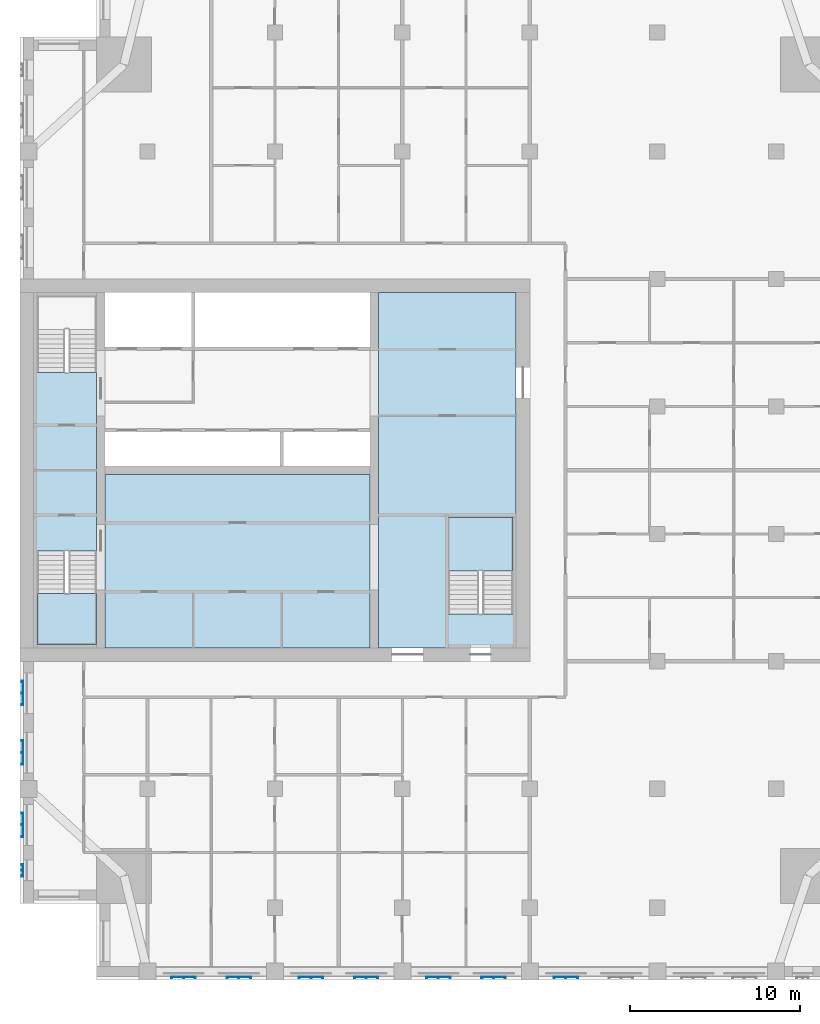
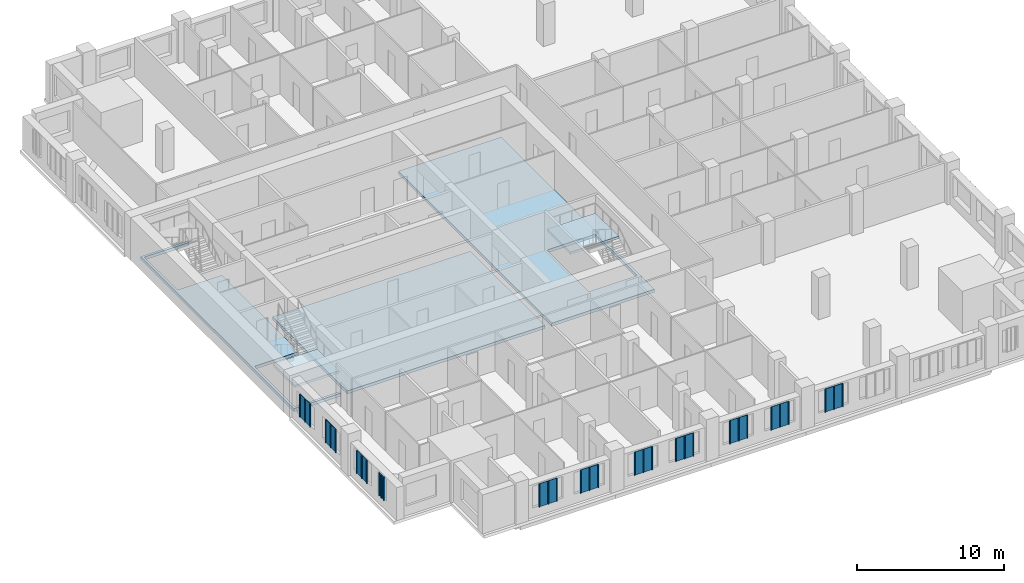
# One storey, part 2 of 14: 11 plates, 5 slabs, 2 elements without a shape of their own.
"""IFC4 building model written with IfcOpenShell, lengths in metres."""

from ifc_helpers import new_model, si_unit, direction, frame, origin, place, context, subcontext, project, spatial, polyline, outline, extrude, material, layer, layer_set, type_object, element, aggregate, save


model = new_model("IFC4")

# Units and contexts
model_context = context("Model", 3, precision=1e-05, world=origin(), true_north=direction((0.0, 1.0)))
body_context = subcontext(model_context, "Body", "Model", "MODEL_VIEW")
ifc_project = project(units=[si_unit("LENGTHUNIT", "METRE"), si_unit("AREAUNIT", "SQUARE_METRE"), si_unit("VOLUMEUNIT", "CUBIC_METRE"), si_unit("PLANEANGLEUNIT", "RADIAN"), si_unit("MASSUNIT", "GRAM", prefix="KILO")], contexts=[model_context])

# Site, building, storey
site_placement = place(None, origin())
site = spatial("IfcSite", under=ifc_project, at=site_placement, CompositionType="ELEMENT")
building_placement = place(site_placement, origin())
building = spatial("IfcBuilding", under=site, at=building_placement, Name="Tamorin Gate", CompositionType="ELEMENT")
storey_placement = place(building_placement, frame((0.0, 0.0, 207.199951171875)))
storey = spatial("IfcBuildingStorey", under=building, at=storey_placement, Name="L51", CompositionType="ELEMENT", Elevation=207.199951171875)

# Slabs
ifc_material_1 = material(Name="Concrete C40/50", Category="concrete")
ifc_layer_1 = layer(ifc_material_1, 0.25)
ifc_layer_set_1 = layer_set([ifc_layer_1], Name="Core floor slab 250 C40/50")
slab_type_1 = type_object("IfcSlabType", Name="Core floor slab 250 C40/50", PredefinedType="FLOOR", material=ifc_layer_set_1)
slab_1_placement = place(storey_placement, frame((0.0, 0.0, -0.25)))
element("IfcSlab", 1, at=slab_1_placement, inside=storey, type_object=slab_type_1, Name="Core floor L51", PredefinedType="FLOOR", context=body_context, shape_type="SweptSolid", body=[
    extrude(outline(polyline([(51.10009765625, 81.699951171875), (59.199951171875, 81.699951171875), (59.199951171875, 60.800048828125), (51.10009765625, 60.800048828125), (51.10009765625, 81.699951171875)]), holes=[polyline([(55.199951171875, 62.800048828125), (59.0, 62.800048828125), (59.0, 68.5), (55.199951171875, 68.5), (55.199951171875, 62.800048828125)])]), origin(), (0.0, 0.0, 1.0), 0.25),
])
slab_2_placement = place(storey_placement, frame((0.0, 0.0, -0.25)))
element("IfcSlab", 2, at=slab_2_placement, inside=storey, type_object=slab_type_1, Name="Core floor L51", PredefinedType="FLOOR", context=body_context, shape_type="SweptSolid", body=[
    extrude(outline(polyline([(50.60009765625, 71.0), (50.60009765625, 60.800048828125), (35.0, 60.800048828125), (35.0, 71.0), (50.60009765625, 71.0)])), origin(), (0.0, 0.0, 1.0), 0.25),
])
slab_3_placement = place(storey_placement, frame((0.0, 0.0, -0.25)))
element("IfcSlab", 3, at=slab_3_placement, inside=storey, type_object=slab_type_1, Name="Core floor L51", PredefinedType="FLOOR", context=body_context, shape_type="SweptSolid", body=[
    extrude(outline(polyline([(34.5, 60.800048828125), (30.800048828125, 60.800048828125), (30.800048828125, 81.699951171875), (34.5, 81.699951171875), (34.5, 81.5), (31.0, 81.5), (31.0, 77.0), (34.5, 77.0), (34.5, 66.5), (31.0, 66.5), (31.0, 61.0), (34.5, 61.0), (34.5, 60.800048828125)])), origin(), (0.0, 0.0, 1.0), 0.25),
])

# Stair, slab
stair_type = type_object("IfcStairType", Name="Exit stair", PredefinedType="HALF_TURN_STAIR", material=ifc_material_1)
stair_1_placement = place(storey_placement, origin())
stair_1 = element("IfcStair", 4, at=stair_1_placement, inside=storey, type_object=stair_type, Name="L51 stair ST1", PredefinedType="HALF_TURN_STAIR")
ifc_layer_2 = layer(ifc_material_1, 0.199951171875)
ifc_layer_set_2 = layer_set([ifc_layer_2], Name="Exit stair landing 200")
slab_type_2 = type_object("IfcSlabType", Name="Exit stair landing 200", PredefinedType="LANDING", material=ifc_layer_set_2)
slab_4_placement = place(storey_placement, frame((0.0, 0.0, 1.550048828125)))
slab_4 = element("IfcSlab", 5, at=slab_4_placement, type_object=slab_type_2, Name="ST1 landing 1", PredefinedType="LANDING", context=body_context, shape_type="SweptSolid", body=[
    extrude(outline(polyline([(31.0, 63.97998046875), (31.0, 61.0), (34.5, 61.0), (34.5, 63.97998046875), (31.0, 63.97998046875)])), origin(), (0.0, 0.0, 1.0), 0.199951171875),
])
aggregate(stair_1, [slab_4])

stair_2_placement = place(storey_placement, origin())
stair_2 = element("IfcStair", 6, at=stair_2_placement, inside=storey, type_object=stair_type, Name="L51 stair ST3", PredefinedType="HALF_TURN_STAIR")
slab_5_placement = place(storey_placement, frame((0.0, 0.0, 1.550048828125)))
slab_5 = element("IfcSlab", 7, at=slab_5_placement, type_object=slab_type_2, Name="ST3 landing 1", PredefinedType="LANDING", context=body_context, shape_type="SweptSolid", body=[
    extrude(outline(polyline([(59.0, 65.320068359375), (59.0, 68.5), (55.199951171875, 68.5), (55.199951171875, 65.320068359375), (59.0, 65.320068359375)])), origin(), (0.0, 0.0, 1.0), 0.199951171875),
])
aggregate(stair_2, [slab_5])

# Plates
ifc_material_2 = material(Name="Perforated pale aluminium sheet", Category="aluminium")
ifc_layer_3 = layer(ifc_material_2, 0.0400390625)
ifc_layer_set_3 = layer_set([ifc_layer_3], Name="Pale metal solar screen 1440")
plate_type_1 = type_object("IfcPlateType", Name="Pale metal solar screen 1440", PredefinedType="SHEET", material=ifc_layer_set_3)
plate_1_placement = place(storey_placement, frame((0.0, 0.0, 0.737548828125)))
element("IfcPlate", 8, at=plate_1_placement, inside=storey, type_object=plate_type_1, Name="Perforated solar screen", PredefinedType="SHEET", context=body_context, shape_type="SweptSolid", body=[
    extrude(outline(polyline([(38.905029296875, 41.409912109375), (38.905029296875, 41.449951171875), (38.965087890625, 41.449951171875), (39.594970703125, 41.449951171875), (39.655029296875, 41.449951171875), (40.284912109375, 41.449951171875), (40.344970703125, 41.449951171875), (40.344970703125, 41.449951171875), (40.344970703125, 41.409912109375), (40.344970703125, 41.409912109375), (40.344970703125, 41.35009765625), (40.284912109375, 41.35009765625), (40.284912109375, 41.409912109375), (39.655029296875, 41.409912109375), (39.655029296875, 41.35009765625), (39.594970703125, 41.35009765625), (39.594970703125, 41.409912109375), (38.965087890625, 41.409912109375), (38.965087890625, 41.35009765625), (38.905029296875, 41.35009765625), (38.905029296875, 41.409912109375)])), origin(), (0.0, 0.0, 1.0), 1.925048828125),
])
plate_2_placement = place(storey_placement, frame((0.0, 0.0, 0.737548828125)))
element("IfcPlate", 9, at=plate_2_placement, inside=storey, type_object=plate_type_1, Name="Perforated solar screen", PredefinedType="SHEET", context=body_context, shape_type="SweptSolid", body=[
    extrude(outline(polyline([(42.155029296875, 41.409912109375), (42.155029296875, 41.449951171875), (42.215087890625, 41.449951171875), (42.844970703125, 41.449951171875), (42.905029296875, 41.449951171875), (43.534912109375, 41.449951171875), (43.594970703125, 41.449951171875), (43.594970703125, 41.409912109375), (43.594970703125, 41.35009765625), (43.534912109375, 41.35009765625), (43.534912109375, 41.409912109375), (42.905029296875, 41.409912109375), (42.905029296875, 41.35009765625), (42.844970703125, 41.35009765625), (42.844970703125, 41.409912109375), (42.215087890625, 41.409912109375), (42.215087890625, 41.35009765625), (42.155029296875, 41.35009765625), (42.155029296875, 41.409912109375)])), origin(), (0.0, 0.0, 1.0), 1.925048828125),
])
plate_3_placement = place(storey_placement, frame((0.0, 0.0, 0.737548828125)))
element("IfcPlate", 10, at=plate_3_placement, inside=storey, type_object=plate_type_1, Name="Perforated solar screen", PredefinedType="SHEET", context=body_context, shape_type="SweptSolid", body=[
    extrude(outline(polyline([(46.405029296875, 41.409912109375), (46.405029296875, 41.449951171875), (46.465087890625, 41.449951171875), (47.094970703125, 41.449951171875), (47.155029296875, 41.449951171875), (47.784912109375, 41.449951171875), (47.844970703125, 41.449951171875), (47.844970703125, 41.409912109375), (47.844970703125, 41.35009765625), (47.784912109375, 41.35009765625), (47.784912109375, 41.409912109375), (47.155029296875, 41.409912109375), (47.155029296875, 41.35009765625), (47.094970703125, 41.35009765625), (47.094970703125, 41.409912109375), (46.465087890625, 41.409912109375), (46.465087890625, 41.35009765625), (46.405029296875, 41.35009765625), (46.405029296875, 41.409912109375)])), origin(), (0.0, 0.0, 1.0), 1.925048828125),
])
plate_4_placement = place(storey_placement, frame((0.0, 0.0, 0.737548828125)))
element("IfcPlate", 11, at=plate_4_placement, inside=storey, type_object=plate_type_1, Name="Perforated solar screen", PredefinedType="SHEET", context=body_context, shape_type="SweptSolid", body=[
    extrude(outline(polyline([(49.655029296875, 41.409912109375), (49.655029296875, 41.449951171875), (49.715087890625, 41.449951171875), (50.344970703125, 41.449951171875), (50.405029296875, 41.449951171875), (51.034912109375, 41.449951171875), (51.094970703125, 41.449951171875), (51.094970703125, 41.409912109375), (51.094970703125, 41.35009765625), (51.034912109375, 41.35009765625), (51.034912109375, 41.409912109375), (50.405029296875, 41.409912109375), (50.405029296875, 41.35009765625), (50.344970703125, 41.35009765625), (50.344970703125, 41.409912109375), (49.715087890625, 41.409912109375), (49.715087890625, 41.35009765625), (49.655029296875, 41.35009765625), (49.655029296875, 41.409912109375)])), origin(), (0.0, 0.0, 1.0), 1.925048828125),
])
plate_5_placement = place(storey_placement, frame((0.0, 0.0, 0.737548828125)))
element("IfcPlate", 12, at=plate_5_placement, inside=storey, type_object=plate_type_1, Name="Perforated solar screen", PredefinedType="SHEET", context=body_context, shape_type="SweptSolid", body=[
    extrude(outline(polyline([(53.905029296875, 41.409912109375), (53.905029296875, 41.449951171875), (53.965087890625, 41.449951171875), (54.594970703125, 41.449951171875), (54.655029296875, 41.449951171875), (55.284912109375, 41.449951171875), (55.344970703125, 41.449951171875), (55.344970703125, 41.409912109375), (55.344970703125, 41.35009765625), (55.284912109375, 41.35009765625), (55.284912109375, 41.409912109375), (54.655029296875, 41.409912109375), (54.655029296875, 41.35009765625), (54.594970703125, 41.35009765625), (54.594970703125, 41.409912109375), (53.965087890625, 41.409912109375), (53.965087890625, 41.35009765625), (53.905029296875, 41.35009765625), (53.905029296875, 41.409912109375)])), origin(), (0.0, 0.0, 1.0), 1.925048828125),
])
plate_6_placement = place(storey_placement, frame((0.0, 0.0, 0.737548828125)))
element("IfcPlate", 13, at=plate_6_placement, inside=storey, type_object=plate_type_1, Name="Perforated solar screen", PredefinedType="SHEET", context=body_context, shape_type="SweptSolid", body=[
    extrude(outline(polyline([(57.155029296875, 41.409912109375), (57.155029296875, 41.449951171875), (57.215087890625, 41.449951171875), (57.844970703125, 41.449951171875), (57.905029296875, 41.449951171875), (58.534912109375, 41.449951171875), (58.594970703125, 41.449951171875), (58.594970703125, 41.409912109375), (58.594970703125, 41.35009765625), (58.534912109375, 41.35009765625), (58.534912109375, 41.409912109375), (57.905029296875, 41.409912109375), (57.905029296875, 41.35009765625), (57.844970703125, 41.35009765625), (57.844970703125, 41.409912109375), (57.215087890625, 41.409912109375), (57.215087890625, 41.35009765625), (57.155029296875, 41.35009765625), (57.155029296875, 41.409912109375)])), origin(), (0.0, 0.0, 1.0), 1.925048828125),
])
plate_7_placement = place(storey_placement, frame((0.0, 0.0, 0.737548828125)))
element("IfcPlate", 14, at=plate_7_placement, inside=storey, type_object=plate_type_1, Name="Perforated solar screen", PredefinedType="SHEET", context=body_context, shape_type="SweptSolid", body=[
    extrude(outline(polyline([(61.405029296875, 41.409912109375), (61.405029296875, 41.449951171875), (61.465087890625, 41.449951171875), (62.094970703125, 41.449951171875), (62.155029296875, 41.449951171875), (62.784912109375, 41.449951171875), (62.844970703125, 41.449951171875), (62.844970703125, 41.409912109375), (62.844970703125, 41.35009765625), (62.784912109375, 41.35009765625), (62.784912109375, 41.409912109375), (62.155029296875, 41.409912109375), (62.155029296875, 41.35009765625), (62.094970703125, 41.35009765625), (62.094970703125, 41.409912109375), (61.465087890625, 41.409912109375), (61.465087890625, 41.35009765625), (61.405029296875, 41.35009765625), (61.405029296875, 41.409912109375)])), origin(), (0.0, 0.0, 1.0), 1.925048828125),
])
plate_8_placement = place(storey_placement, frame((0.0, 0.0, 0.737548828125)))
element("IfcPlate", 15, at=plate_8_placement, inside=storey, type_object=plate_type_1, Name="Perforated solar screen", PredefinedType="SHEET", context=body_context, shape_type="SweptSolid", body=[
    extrude(outline(polyline([(30.159912109375, 55.344970703125), (30.199951171875, 55.344970703125), (30.199951171875, 55.284912109375), (30.199951171875, 54.655029296875), (30.199951171875, 54.594970703125), (30.199951171875, 53.965087890625), (30.199951171875, 53.905029296875), (30.159912109375, 53.905029296875), (30.10009765625, 53.905029296875), (30.10009765625, 53.965087890625), (30.159912109375, 53.965087890625), (30.159912109375, 54.594970703125), (30.10009765625, 54.594970703125), (30.10009765625, 54.655029296875), (30.159912109375, 54.655029296875), (30.159912109375, 55.284912109375), (30.10009765625, 55.284912109375), (30.10009765625, 55.344970703125), (30.159912109375, 55.344970703125)])), origin(), (0.0, 0.0, 1.0), 1.925048828125),
])
plate_9_placement = place(storey_placement, frame((0.0, 0.0, 0.737548828125)))
element("IfcPlate", 16, at=plate_9_placement, inside=storey, type_object=plate_type_1, Name="Perforated solar screen", PredefinedType="SHEET", context=body_context, shape_type="SweptSolid", body=[
    extrude(outline(polyline([(30.159912109375, 58.844970703125), (30.199951171875, 58.844970703125), (30.199951171875, 58.784912109375), (30.199951171875, 58.155029296875), (30.199951171875, 58.094970703125), (30.199951171875, 57.465087890625), (30.199951171875, 57.405029296875), (30.159912109375, 57.405029296875), (30.10009765625, 57.405029296875), (30.10009765625, 57.465087890625), (30.159912109375, 57.465087890625), (30.159912109375, 58.094970703125), (30.10009765625, 58.094970703125), (30.10009765625, 58.155029296875), (30.159912109375, 58.155029296875), (30.159912109375, 58.784912109375), (30.10009765625, 58.784912109375), (30.10009765625, 58.844970703125), (30.159912109375, 58.844970703125)])), origin(), (0.0, 0.0, 1.0), 1.925048828125),
])
plate_10_placement = place(storey_placement, frame((0.0, 0.0, 0.737548828125)))
element("IfcPlate", 17, at=plate_10_placement, inside=storey, type_object=plate_type_1, Name="Perforated solar screen", PredefinedType="SHEET", context=body_context, shape_type="SweptSolid", body=[
    extrude(outline(polyline([(30.159912109375, 51.094970703125), (30.199951171875, 51.094970703125), (30.199951171875, 51.034912109375), (30.199951171875, 50.405029296875), (30.199951171875, 50.344970703125), (30.199951171875, 49.715087890625), (30.199951171875, 49.655029296875), (30.159912109375, 49.655029296875), (30.10009765625, 49.655029296875), (30.10009765625, 49.715087890625), (30.159912109375, 49.715087890625), (30.159912109375, 50.344970703125), (30.10009765625, 50.344970703125), (30.10009765625, 50.405029296875), (30.159912109375, 50.405029296875), (30.159912109375, 51.034912109375), (30.10009765625, 51.034912109375), (30.10009765625, 51.094970703125), (30.159912109375, 51.094970703125)])), origin(), (0.0, 0.0, 1.0), 1.925048828125),
])
ifc_layer_4 = layer(ifc_material_2, 0.0400390625)
ifc_layer_set_4 = layer_set([ifc_layer_4], Name="Pale metal solar screen 720")
plate_type_2 = type_object("IfcPlateType", Name="Pale metal solar screen 720", PredefinedType="SHEET", material=ifc_layer_set_4)
plate_11_placement = place(storey_placement, frame((0.0, 0.0, 0.737548828125)))
element("IfcPlate", 18, at=plate_11_placement, inside=storey, type_object=plate_type_2, Name="Perforated solar screen", PredefinedType="SHEET", context=body_context, shape_type="SweptSolid", body=[
    extrude(outline(polyline([(30.159912109375, 48.06005859375), (30.199951171875, 48.06005859375), (30.199951171875, 48.0), (30.199951171875, 47.72998046875), (30.199951171875, 47.669921875), (30.199951171875, 47.39990234375), (30.199951171875, 47.340087890625), (30.159912109375, 47.340087890625), (30.10009765625, 47.340087890625), (30.10009765625, 47.39990234375), (30.159912109375, 47.39990234375), (30.159912109375, 47.669921875), (30.10009765625, 47.669921875), (30.10009765625, 47.72998046875), (30.159912109375, 47.72998046875), (30.159912109375, 48.0), (30.10009765625, 48.0), (30.10009765625, 48.06005859375), (30.159912109375, 48.06005859375)])), origin(), (0.0, 0.0, 1.0), 1.925048828125),
])

save(model, "model.ifc")
